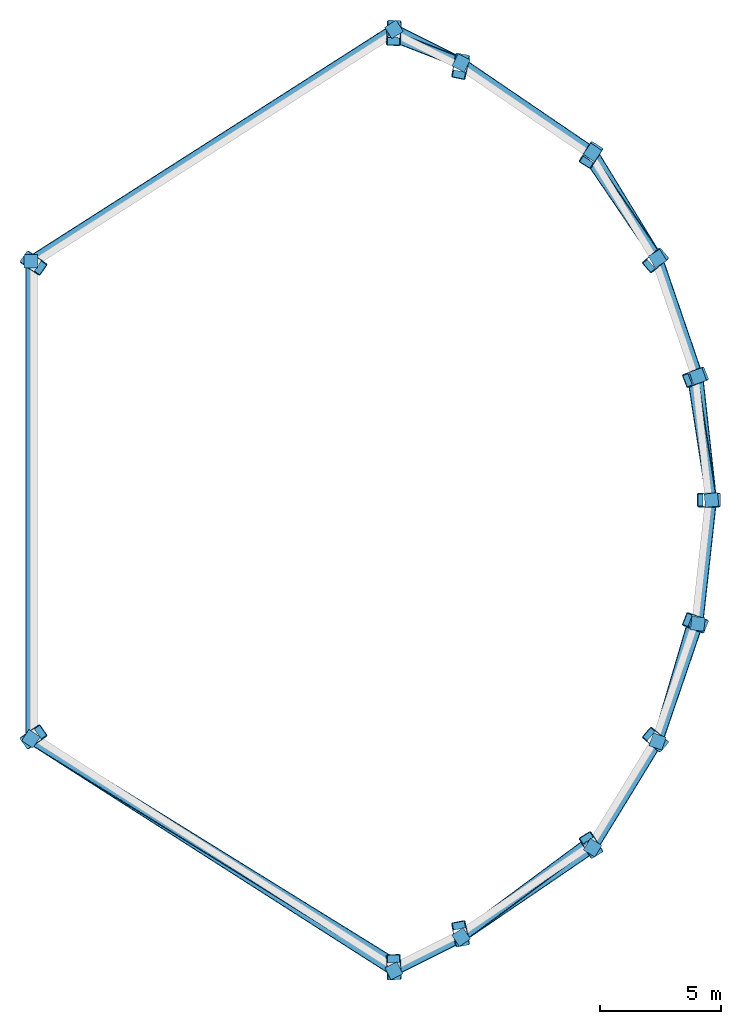
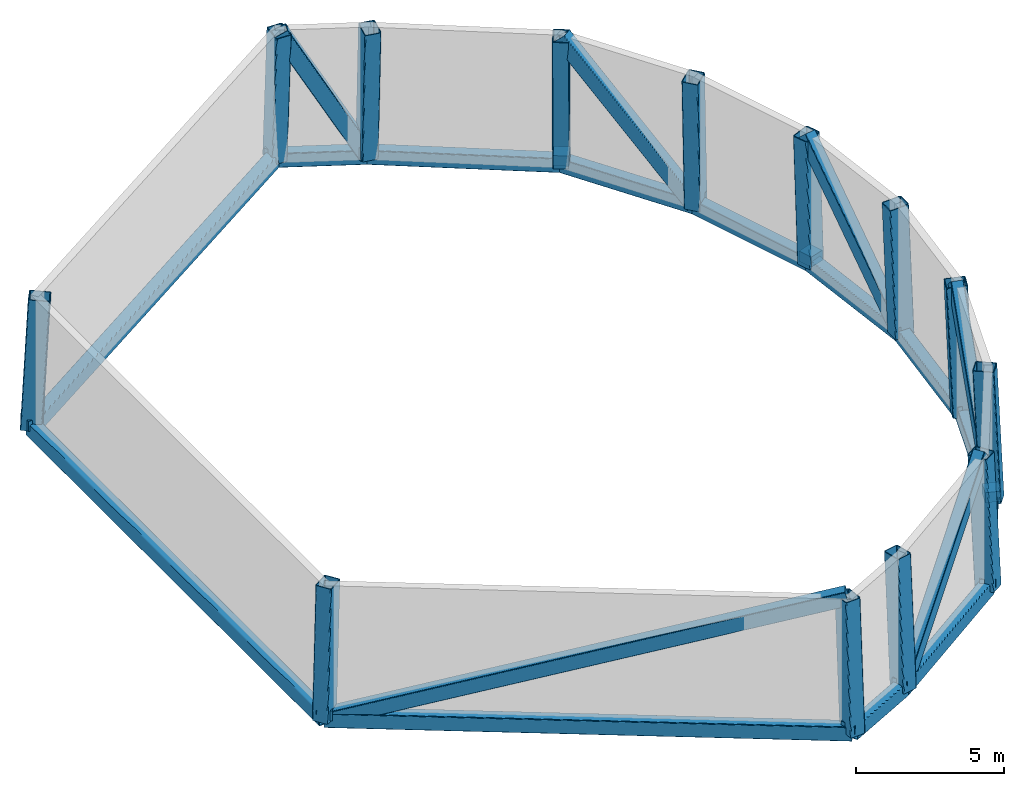
# One storey, part 1 of 2: 32 members, 13 discrete accessories.
"""IFC4 building model written with IfcOpenShell, lengths in metres."""

from ifc_helpers import new_model, si_unit, direction, frame, origin, origin_2d, place, context, subcontext, project, spatial, rectangle, hollow_rectangle, extrude, material, material_profile, profile_set, type_object, element, save


model = new_model("IFC4")

# Units and contexts
model_context = context("Model", 3, precision=1e-05, world=origin(), true_north=direction((0.0, 1.0)))
body_context = subcontext(model_context, "Body", "Model", "MODEL_VIEW")
ifc_project = project(units=[si_unit("LENGTHUNIT", "METRE"), si_unit("AREAUNIT", "SQUARE_METRE"), si_unit("VOLUMEUNIT", "CUBIC_METRE"), si_unit("PLANEANGLEUNIT", "RADIAN"), si_unit("MASSUNIT", "GRAM", prefix="KILO")], contexts=[model_context])

# Site, building, storey
site_placement = place(None, origin())
site = spatial("IfcSite", under=ifc_project, at=site_placement, CompositionType="ELEMENT")
building_placement = place(site_placement, origin())
building = spatial("IfcBuilding", under=site, at=building_placement, Name="Qorvath Tower", CompositionType="ELEMENT")
storey_placement = place(building_placement, frame((0.0, 0.0, 339.60009765625)))
storey = spatial("IfcBuildingStorey", under=building, at=storey_placement, Name="L79", CompositionType="ELEMENT", Elevation=339.60009765625)

# Members
ifc_material_1 = material(Name="Steel ASTM A572 Grade 50", Category="steel")
ifc_material_profile_1 = material_profile(ifc_material_1, hollow_rectangle(XDim=0.60009765625, YDim=0.75, WallThickness=0.031982421875, InnerFilletRadius=0.031982421875, OuterFilletRadius=0.06396484375, at=origin_2d()), Name="CROWN BOX 750x600x32")
ifc_profile_set_1 = profile_set([ifc_material_profile_1], Name="Steel ASTM A572 Grade 50")
member_type_1 = type_object("IfcMemberType", Name="MEM-CF1", PredefinedType="USERDEFINED", material=ifc_profile_set_1)
for number, where, z_axis, x_axis, name in (
    (1, (-34.27734375, 9.899169921875, 0.0), (0.041496873129, -0.028763338611, 0.99872452652), (0.569674928539, 0.821870108834, 0.0), "CROWN FRAME Post L79-01"),
    (2, (-34.27734375, -9.899169921875, 0.0), (0.041496873129, 0.028763338611, 0.99872452652), (-0.569674928539, 0.821870108834, 0.0), "CROWN FRAME Post L79-02"),
):
    element("IfcMember", number, at=place(storey_placement, frame(where, z_axis=z_axis, x_axis=x_axis)), inside=storey, type_object=member_type_1, Name=name, ObjectType="CROWN FRAME", PredefinedType="USERDEFINED", context=body_context, shape_type="SweptSolid", body=[
        extrude(hollow_rectangle(XDim=0.60009765625, YDim=0.75, WallThickness=0.031982421875, InnerFilletRadius=0.031982421875, OuterFilletRadius=0.06396484375, at=origin_2d()), origin(), (0.0, 0.0, 1.0), 5.40673828125),
    ])
member_1_placement = place(storey_placement, frame((-19.22314453125, -19.5205078125, 0.0), z_axis=(-0.0022569604, 0.056694845255, 0.998389002669), x_axis=(-0.999208565601, -0.039777411051, 0.0)))
element("IfcMember", 3, at=member_1_placement, inside=storey, type_object=member_type_1, Name="CROWN FRAME Post L79-03", ObjectType="CROWN FRAME", PredefinedType="USERDEFINED", context=body_context, shape_type="SweptSolid", body=[
    extrude(hollow_rectangle(XDim=0.60009765625, YDim=0.75, WallThickness=0.031982421875, InnerFilletRadius=0.031982421875, OuterFilletRadius=0.06396484375, at=origin_2d()), origin(), (0.0, 0.0, 1.0), 5.40869140625),
])
member_2_placement = place(storey_placement, frame((-16.4345703125, -18.1259765625, 0.0), z_axis=(-0.010383790777, 0.052641304549, 0.998559497448), x_axis=(-0.98109505447, -0.19352646872, 0.0)))
element("IfcMember", 4, at=member_2_placement, inside=storey, type_object=member_type_1, Name="CROWN FRAME Post L79-04", ObjectType="CROWN FRAME", PredefinedType="USERDEFINED", context=body_context, shape_type="SweptSolid", body=[
    extrude(hollow_rectangle(XDim=0.60009765625, YDim=0.75, WallThickness=0.031982421875, InnerFilletRadius=0.031982421875, OuterFilletRadius=0.06396484375, at=origin_2d()), origin(), (0.0, 0.0, 1.0), 5.40771484375),
])
member_3_placement = place(storey_placement, frame((-10.984619140625, -14.41650390625, 0.0), z_axis=(-0.026190947468, 0.041905515949, 0.998778234647), x_axis=(-0.847998304005, -0.529998940003, 0.0)))
element("IfcMember", 5, at=member_3_placement, inside=storey, type_object=member_type_1, Name="CROWN FRAME Post L79-05", ObjectType="CROWN FRAME", PredefinedType="USERDEFINED", context=body_context, shape_type="SweptSolid", body=[
    extrude(hollow_rectangle(XDim=0.60009765625, YDim=0.75, WallThickness=0.031982421875, InnerFilletRadius=0.031982421875, OuterFilletRadius=0.06396484375, at=origin_2d()), origin(), (0.0, 0.0, 1.0), 5.406494140625),
])
member_4_placement = place(storey_placement, frame((-8.290771484375, -10.013671875, 0.0), z_axis=(-0.03401056018, 0.029087384802, 0.99899810102), x_axis=(-0.649959832838, -0.759968562309, 0.0)))
element("IfcMember", 6, at=member_4_placement, inside=storey, type_object=member_type_1, Name="CROWN FRAME Post L79-06", ObjectType="CROWN FRAME", PredefinedType="USERDEFINED", context=body_context, shape_type="SweptSolid", body=[
    extrude(hollow_rectangle(XDim=0.60009765625, YDim=0.75, WallThickness=0.031982421875, InnerFilletRadius=0.031982421875, OuterFilletRadius=0.06396484375, at=origin_2d()), origin(), (0.0, 0.0, 1.0), 5.4052734375),
])
member_5_placement = place(storey_placement, frame((-6.620849609375, -5.130126953125, 0.0), z_axis=(-0.038893787027, 0.014907026387, 0.999132150366), x_axis=(-0.357888732889, -0.933764239447, 0.0)))
element("IfcMember", 7, at=member_5_placement, inside=storey, type_object=member_type_1, Name="CROWN FRAME Post L79-07", ObjectType="CROWN FRAME", PredefinedType="USERDEFINED", context=body_context, shape_type="SweptSolid", body=[
    extrude(hollow_rectangle(XDim=0.60009765625, YDim=0.75, WallThickness=0.031982421875, InnerFilletRadius=0.031982421875, OuterFilletRadius=0.06396484375, at=origin_2d()), origin(), (0.0, 0.0, 1.0), 5.404541015625),
])
member_6_placement = place(storey_placement, frame((-6.05517578125, 0.0, 0.0), z_axis=(-0.040566994527, 0.0, 0.999176820665), x_axis=(0.0, -1.0, 0.0)))
element("IfcMember", 8, at=member_6_placement, inside=storey, type_object=member_type_1, Name="CROWN FRAME Post L79-08", ObjectType="CROWN FRAME", PredefinedType="USERDEFINED", context=body_context, shape_type="SweptSolid", body=[
    extrude(hollow_rectangle(XDim=0.60009765625, YDim=0.75, WallThickness=0.031982421875, InnerFilletRadius=0.031982421875, OuterFilletRadius=0.06396484375, at=origin_2d()), origin(), (0.0, 0.0, 1.0), 5.404296875),
])
member_7_placement = place(storey_placement, frame((-6.620849609375, 5.130126953125, 0.0), z_axis=(-0.038893787027, -0.014907026387, 0.999132150366), x_axis=(0.357888732889, -0.933764239447, 0.0)))
element("IfcMember", 9, at=member_7_placement, inside=storey, type_object=member_type_1, Name="CROWN FRAME Post L79-09", ObjectType="CROWN FRAME", PredefinedType="USERDEFINED", context=body_context, shape_type="SweptSolid", body=[
    extrude(hollow_rectangle(XDim=0.60009765625, YDim=0.75, WallThickness=0.031982421875, InnerFilletRadius=0.031982421875, OuterFilletRadius=0.06396484375, at=origin_2d()), origin(), (0.0, 0.0, 1.0), 5.404541015625),
])
member_8_placement = place(storey_placement, frame((-8.290771484375, 10.013671875, 0.0), z_axis=(-0.03401056018, -0.029087384802, 0.99899810102), x_axis=(0.649959832838, -0.759968562309, 0.0)))
element("IfcMember", 10, at=member_8_placement, inside=storey, type_object=member_type_1, Name="CROWN FRAME Post L79-10", ObjectType="CROWN FRAME", PredefinedType="USERDEFINED", context=body_context, shape_type="SweptSolid", body=[
    extrude(hollow_rectangle(XDim=0.60009765625, YDim=0.75, WallThickness=0.031982421875, InnerFilletRadius=0.031982421875, OuterFilletRadius=0.06396484375, at=origin_2d()), origin(), (0.0, 0.0, 1.0), 5.4052734375),
])
member_9_placement = place(storey_placement, frame((-10.984619140625, 14.41650390625, 0.0), z_axis=(-0.026190947468, -0.041905515949, 0.998778234647), x_axis=(0.847998304005, -0.529998940003, 0.0)))
element("IfcMember", 11, at=member_9_placement, inside=storey, type_object=member_type_1, Name="CROWN FRAME Post L79-11", ObjectType="CROWN FRAME", PredefinedType="USERDEFINED", context=body_context, shape_type="SweptSolid", body=[
    extrude(hollow_rectangle(XDim=0.60009765625, YDim=0.75, WallThickness=0.031982421875, InnerFilletRadius=0.031982421875, OuterFilletRadius=0.06396484375, at=origin_2d()), origin(), (0.0, 0.0, 1.0), 5.406494140625),
])
member_10_placement = place(storey_placement, frame((-16.4345703125, 18.1259765625, 0.0), z_axis=(-0.010383790777, -0.052641304549, 0.998559497448), x_axis=(0.98109505447, -0.19352646872, 0.0)))
element("IfcMember", 12, at=member_10_placement, inside=storey, type_object=member_type_1, Name="CROWN FRAME Post L79-12", ObjectType="CROWN FRAME", PredefinedType="USERDEFINED", context=body_context, shape_type="SweptSolid", body=[
    extrude(hollow_rectangle(XDim=0.60009765625, YDim=0.75, WallThickness=0.031982421875, InnerFilletRadius=0.031982421875, OuterFilletRadius=0.06396484375, at=origin_2d()), origin(), (0.0, 0.0, 1.0), 5.40771484375),
])
member_11_placement = place(storey_placement, frame((-19.22314453125, 19.5205078125, 0.0), z_axis=(-0.0022569604, -0.056694845255, 0.998389002669), x_axis=(0.999208565601, -0.039777411051, 0.0)))
element("IfcMember", 13, at=member_11_placement, inside=storey, type_object=member_type_1, Name="CROWN FRAME Post L79-13", ObjectType="CROWN FRAME", PredefinedType="USERDEFINED", context=body_context, shape_type="SweptSolid", body=[
    extrude(hollow_rectangle(XDim=0.60009765625, YDim=0.75, WallThickness=0.031982421875, InnerFilletRadius=0.031982421875, OuterFilletRadius=0.06396484375, at=origin_2d()), origin(), (0.0, 0.0, 1.0), 5.40869140625),
])
ifc_material_2 = material(Name="Steel ASTM A572 Grade 50", Category="steel")
ifc_material_profile_2 = material_profile(ifc_material_2, hollow_rectangle(XDim=0.449951171875, YDim=0.60009765625, WallThickness=0.02490234375, InnerFilletRadius=0.02490234375, OuterFilletRadius=0.050048828125, at=origin_2d()), Name="CROWN BOX 600x450x25")
ifc_profile_set_2 = profile_set([ifc_material_profile_2], Name="Steel ASTM A572 Grade 50")
member_type_2 = type_object("IfcMemberType", Name="MEM-CF2", PredefinedType="USERDEFINED", material=ifc_profile_set_2)
member_12_placement = place(storey_placement, frame((-34.27734375, 9.899169921875, 0.0), z_axis=(0.0, -1.0, 0.0), x_axis=(1.0, 0.0, 0.0)))
element("IfcMember", 14, at=member_12_placement, inside=storey, type_object=member_type_2, Name="CROWN FRAME Ring Beam L79-01", ObjectType="CROWN FRAME", PredefinedType="USERDEFINED", context=body_context, shape_type="SweptSolid", body=[
    extrude(hollow_rectangle(XDim=0.449951171875, YDim=0.60009765625, WallThickness=0.02490234375, InnerFilletRadius=0.02490234375, OuterFilletRadius=0.050048828125, at=origin_2d()), origin(), (0.0, 0.0, 1.0), 19.79833984375),
])
member_13_placement = place(storey_placement, frame((-34.27734375, -9.899169921875, 0.0), z_axis=(0.84261048541, -0.538523509122, 0.0), x_axis=(0.538523509122, 0.84261048541, 0.0)))
element("IfcMember", 15, at=member_13_placement, inside=storey, type_object=member_type_2, Name="CROWN FRAME Ring Beam L79-02", ObjectType="CROWN FRAME", PredefinedType="USERDEFINED", context=body_context, shape_type="SweptSolid", body=[
    extrude(hollow_rectangle(XDim=0.449951171875, YDim=0.60009765625, WallThickness=0.02490234375, InnerFilletRadius=0.02490234375, OuterFilletRadius=0.050048828125, at=origin_2d()), origin(), (0.0, 0.0, 1.0), 17.8662109375),
])
member_14_placement = place(storey_placement, frame((-19.22314453125, -19.5205078125, 0.0), z_axis=(0.894395866941, 0.447276238134, 0.0), x_axis=(-0.447276238134, 0.894395866941, 0.0)))
element("IfcMember", 16, at=member_14_placement, inside=storey, type_object=member_type_2, Name="CROWN FRAME Ring Beam L79-03", ObjectType="CROWN FRAME", PredefinedType="USERDEFINED", context=body_context, shape_type="SweptSolid", body=[
    extrude(hollow_rectangle(XDim=0.449951171875, YDim=0.60009765625, WallThickness=0.02490234375, InnerFilletRadius=0.02490234375, OuterFilletRadius=0.050048828125, at=origin_2d()), origin(), (0.0, 0.0, 1.0), 3.117919921875),
])
member_15_placement = place(storey_placement, frame((-16.4345703125, -18.1259765625, 0.0), z_axis=(0.826679146324, 0.562673607905, 0.0), x_axis=(-0.562673607905, 0.826679146324, 0.0)))
element("IfcMember", 17, at=member_15_placement, inside=storey, type_object=member_type_2, Name="CROWN FRAME Ring Beam L79-04", ObjectType="CROWN FRAME", PredefinedType="USERDEFINED", context=body_context, shape_type="SweptSolid", body=[
    extrude(hollow_rectangle(XDim=0.449951171875, YDim=0.60009765625, WallThickness=0.02490234375, InnerFilletRadius=0.02490234375, OuterFilletRadius=0.050048828125, at=origin_2d()), origin(), (0.0, 0.0, 1.0), 6.592529296875),
])
member_16_placement = place(storey_placement, frame((-10.984619140625, -14.41650390625, 0.0), z_axis=(0.521905288169, 0.853003440896, 0.0), x_axis=(-0.853003440896, 0.521905288169, 0.0)))
element("IfcMember", 18, at=member_16_placement, inside=storey, type_object=member_type_2, Name="CROWN FRAME Ring Beam L79-05", ObjectType="CROWN FRAME", PredefinedType="USERDEFINED", context=body_context, shape_type="SweptSolid", body=[
    extrude(hollow_rectangle(XDim=0.449951171875, YDim=0.60009765625, WallThickness=0.02490234375, InnerFilletRadius=0.02490234375, OuterFilletRadius=0.050048828125, at=origin_2d()), origin(), (0.0, 0.0, 1.0), 5.16162109375),
])
for number, where, z_axis, x_axis, name in (
    (19, (-8.290771484375, -10.013671875, 0.0), (0.323555062216, 0.946209343494, 0.0), (-0.946209343494, 0.323555062216, 0.0), "CROWN FRAME Ring Beam L79-06"),
    (20, (-6.620849609375, -5.130126953125, 0.0), (0.109600802557, 0.993975685859, 0.0), (-0.993975685859, 0.109600802557, 0.0), "CROWN FRAME Ring Beam L79-07"),
    (21, (-6.05517578125, 0.0, 0.0), (-0.109600802557, 0.993975685859, 0.0), (-0.993975685859, -0.109600802557, 0.0), "CROWN FRAME Ring Beam L79-08"),
    (22, (-6.620849609375, 5.130126953125, 0.0), (-0.323555062216, 0.946209343494, 0.0), (-0.946209343494, -0.323555062216, 0.0), "CROWN FRAME Ring Beam L79-09"),
):
    element("IfcMember", number, at=place(storey_placement, frame(where, z_axis=z_axis, x_axis=x_axis)), inside=storey, type_object=member_type_2, Name=name, ObjectType="CROWN FRAME", PredefinedType="USERDEFINED", context=body_context, shape_type="SweptSolid", body=[
        extrude(hollow_rectangle(XDim=0.449951171875, YDim=0.60009765625, WallThickness=0.02490234375, InnerFilletRadius=0.02490234375, OuterFilletRadius=0.050048828125, at=origin_2d()), origin(), (0.0, 0.0, 1.0), 5.1611328125),
    ])
member_17_placement = place(storey_placement, frame((-8.290771484375, 10.013671875, 0.0), z_axis=(-0.521905288169, 0.853003440896, 0.0), x_axis=(-0.853003440896, -0.521905288169, 0.0)))
element("IfcMember", 23, at=member_17_placement, inside=storey, type_object=member_type_2, Name="CROWN FRAME Ring Beam L79-10", ObjectType="CROWN FRAME", PredefinedType="USERDEFINED", context=body_context, shape_type="SweptSolid", body=[
    extrude(hollow_rectangle(XDim=0.449951171875, YDim=0.60009765625, WallThickness=0.02490234375, InnerFilletRadius=0.02490234375, OuterFilletRadius=0.050048828125, at=origin_2d()), origin(), (0.0, 0.0, 1.0), 5.16162109375),
])
member_18_placement = place(storey_placement, frame((-10.984619140625, 14.41650390625, 0.0), z_axis=(-0.826679146324, 0.562673607905, 0.0), x_axis=(-0.562673607905, -0.826679146324, 0.0)))
element("IfcMember", 24, at=member_18_placement, inside=storey, type_object=member_type_2, Name="CROWN FRAME Ring Beam L79-11", ObjectType="CROWN FRAME", PredefinedType="USERDEFINED", context=body_context, shape_type="SweptSolid", body=[
    extrude(hollow_rectangle(XDim=0.449951171875, YDim=0.60009765625, WallThickness=0.02490234375, InnerFilletRadius=0.02490234375, OuterFilletRadius=0.050048828125, at=origin_2d()), origin(), (0.0, 0.0, 1.0), 6.592529296875),
])
member_19_placement = place(storey_placement, frame((-16.4345703125, 18.1259765625, 0.0), z_axis=(-0.894395866941, 0.447276238134, 0.0), x_axis=(-0.447276238134, -0.894395866941, 0.0)))
element("IfcMember", 25, at=member_19_placement, inside=storey, type_object=member_type_2, Name="CROWN FRAME Ring Beam L79-12", ObjectType="CROWN FRAME", PredefinedType="USERDEFINED", context=body_context, shape_type="SweptSolid", body=[
    extrude(hollow_rectangle(XDim=0.449951171875, YDim=0.60009765625, WallThickness=0.02490234375, InnerFilletRadius=0.02490234375, OuterFilletRadius=0.050048828125, at=origin_2d()), origin(), (0.0, 0.0, 1.0), 3.117919921875),
])
member_20_placement = place(storey_placement, frame((-19.22314453125, 19.5205078125, 0.0), z_axis=(-0.84261048541, -0.538523509122, 0.0), x_axis=(0.538523509122, -0.84261048541, 0.0)))
element("IfcMember", 26, at=member_20_placement, inside=storey, type_object=member_type_2, Name="CROWN FRAME Ring Beam L79-13", ObjectType="CROWN FRAME", PredefinedType="USERDEFINED", context=body_context, shape_type="SweptSolid", body=[
    extrude(hollow_rectangle(XDim=0.449951171875, YDim=0.60009765625, WallThickness=0.02490234375, InnerFilletRadius=0.02490234375, OuterFilletRadius=0.050048828125, at=origin_2d()), origin(), (0.0, 0.0, 1.0), 17.8662109375),
])
member_21_placement = place(storey_placement, frame((-34.27734375, -9.899169921875, 0.0), z_axis=(0.81315899734, -0.50354566035, 0.291914735817), x_axis=(0.526476697208, 0.850189559626, 0.0)))
element("IfcMember", 27, at=member_21_placement, inside=storey, type_object=member_type_2, Name="CROWN FRAME Diagonal Brace L79-02", ObjectType="CROWN FRAME", PredefinedType="USERDEFINED", context=body_context, shape_type="SweptSolid", body=[
    extrude(hollow_rectangle(XDim=0.449951171875, YDim=0.60009765625, WallThickness=0.02490234375, InnerFilletRadius=0.02490234375, OuterFilletRadius=0.050048828125, at=origin_2d()), origin(), (0.0, 0.0, 1.0), 18.498291015625),
])
member_22_placement = place(storey_placement, frame((-16.4345703125, -18.1259765625, 0.0), z_axis=(0.6220204742, 0.461215751509, 0.632748417806), x_axis=(-0.595610928046, 0.803273068385, 0.0)))
element("IfcMember", 28, at=member_22_placement, inside=storey, type_object=member_type_2, Name="CROWN FRAME Diagonal Brace L79-04", ObjectType="CROWN FRAME", PredefinedType="USERDEFINED", context=body_context, shape_type="SweptSolid", body=[
    extrude(hollow_rectangle(XDim=0.449951171875, YDim=0.60009765625, WallThickness=0.02490234375, InnerFilletRadius=0.02490234375, OuterFilletRadius=0.050048828125, at=origin_2d()), origin(), (0.0, 0.0, 1.0), 8.533935546875),
])
member_23_placement = place(storey_placement, frame((-8.290771484375, -10.013671875, 0.0), z_axis=(0.195181192075, 0.663759688655, 0.722030039525), x_axis=(-0.959382029175, 0.282110124056, 0.0)))
element("IfcMember", 29, at=member_23_placement, inside=storey, type_object=member_type_2, Name="CROWN FRAME Diagonal Brace L79-06", ObjectType="CROWN FRAME", PredefinedType="USERDEFINED", context=body_context, shape_type="SweptSolid", body=[
    extrude(hollow_rectangle(XDim=0.449951171875, YDim=0.60009765625, WallThickness=0.02490234375, InnerFilletRadius=0.02490234375, OuterFilletRadius=0.050048828125, at=origin_2d()), origin(), (0.0, 0.0, 1.0), 7.478759765625),
])
member_24_placement = place(storey_placement, frame((-6.05517578125, 0.0, 0.0), z_axis=(-0.104374030241, 0.679285106191, 0.726414348921), x_axis=(-0.988400408092, -0.151870449012, 0.0)))
element("IfcMember", 30, at=member_24_placement, inside=storey, type_object=member_type_2, Name="CROWN FRAME Diagonal Brace L79-08", ObjectType="CROWN FRAME", PredefinedType="USERDEFINED", context=body_context, shape_type="SweptSolid", body=[
    extrude(hollow_rectangle(XDim=0.449951171875, YDim=0.60009765625, WallThickness=0.02490234375, InnerFilletRadius=0.02490234375, OuterFilletRadius=0.050048828125, at=origin_2d()), origin(), (0.0, 0.0, 1.0), 7.43359375),
])
member_25_placement = place(storey_placement, frame((-8.290771484375, 10.013671875, 0.0), z_axis=(-0.383589532755, 0.564980415646, 0.730517761794), x_axis=(-0.827332891133, -0.561711925501, 0.0)))
element("IfcMember", 31, at=member_25_placement, inside=storey, type_object=member_type_2, Name="CROWN FRAME Diagonal Brace L79-10", ObjectType="CROWN FRAME", PredefinedType="USERDEFINED", context=body_context, shape_type="SweptSolid", body=[
    extrude(hollow_rectangle(XDim=0.449951171875, YDim=0.60009765625, WallThickness=0.02490234375, InnerFilletRadius=0.02490234375, OuterFilletRadius=0.050048828125, at=origin_2d()), origin(), (0.0, 0.0, 1.0), 7.391845703125),
])
member_26_placement = place(storey_placement, frame((-16.4345703125, 18.1259765625, 0.0), z_axis=(-0.45323391879, 0.176046926615, 0.873834363302), x_axis=(-0.362069803497, -0.932150984227, 0.0)))
element("IfcMember", 32, at=member_26_placement, inside=storey, type_object=member_type_2, Name="CROWN FRAME Diagonal Brace L79-12", ObjectType="CROWN FRAME", PredefinedType="USERDEFINED", context=body_context, shape_type="SweptSolid", body=[
    extrude(hollow_rectangle(XDim=0.449951171875, YDim=0.60009765625, WallThickness=0.02490234375, InnerFilletRadius=0.02490234375, OuterFilletRadius=0.050048828125, at=origin_2d()), origin(), (0.0, 0.0, 1.0), 6.179443359375),
])

# Discrete accessories
ifc_material_3 = material(Name="Galvanised steel bracket", Category="steel")
discrete_accessory_type = type_object("IfcDiscreteAccessoryType", Name="DA-BRACKET", PredefinedType="BRACKET", material=ifc_material_3)
for number, where, z_axis, x_axis, name in (
    (33, (-34.27734375, 9.899169921875, 0.0400390625), (0.0, 0.0, 1.0), (0.0, -1.0, 0.0), "Crown Screen Mounting Bracket L79-01"),
    (34, (-34.27734375, -9.899169921875, 0.0400390625), (0.0, 0.0, 1.0), (0.842605637097, -0.538531095047, 0.0), "Crown Screen Mounting Bracket L79-02"),
    (35, (-19.22314453125, -19.5205078125, 0.0400390625), (0.0, 0.0, 1.0), (0.894387779699, 0.447292409421, 0.0), "Crown Screen Mounting Bracket L79-03"),
    (36, (-16.4345703125, -18.1259765625, 0.0400390625), (0.0, 0.0, 1.0), (0.82667814412, 0.562675080338, 0.0), "Crown Screen Mounting Bracket L79-04"),
    (37, (-10.984619140625, -14.41650390625, 0.0400390625), (0.0, 0.0, 1.0), (0.521906159851, 0.853002907562, 0.0), "Crown Screen Mounting Bracket L79-05"),
    (38, (-8.290771484375, -10.013671875, 0.0400390625), (0.0, 0.0, 1.0), (0.323529351807, 0.946218134744, 0.0), "Crown Screen Mounting Bracket L79-06"),
    (39, (-6.620849609375, -5.130126953125, 0.0400390625), (0.0, 0.0, 1.0), (0.109616344658, 0.993973971985, 0.0), "Crown Screen Mounting Bracket L79-07"),
    (40, (-6.05517578125, 0.0, 0.0400390625), (0.0, 0.0, 1.0), (-0.109616344658, 0.993973971985, 0.0), "Crown Screen Mounting Bracket L79-08"),
    (41, (-6.620849609375, 5.130126953125, 0.0400390625), (0.0, 0.0, 1.0), (-0.323529351807, 0.946218134744, 0.0), "Crown Screen Mounting Bracket L79-09"),
    (42, (-8.290771484375, 10.013671875, 0.0400390625), (0.0, 0.0, 1.0), (-0.521906159851, 0.853002907562, 0.0), "Crown Screen Mounting Bracket L79-10"),
    (43, (-10.984619140625, 14.41650390625, 0.0400390625), (0.0, 0.0, 1.0), (-0.82667814412, 0.562675080338, 0.0), "Crown Screen Mounting Bracket L79-11"),
    (44, (-16.4345703125, 18.1259765625, 0.0400390625), (0.0, 0.0, 1.0), (-0.894387779699, 0.447292409421, 0.0), "Crown Screen Mounting Bracket L79-12"),
    (45, (-19.22314453125, 19.5205078125, 0.0400390625), (0.0, 0.0, 1.0), (-0.842605637097, -0.538531095047, 0.0), "Crown Screen Mounting Bracket L79-13"),
):
    element("IfcDiscreteAccessory", number, at=place(storey_placement, frame(where, z_axis=z_axis, x_axis=x_axis)), inside=storey, type_object=discrete_accessory_type, Name=name, PredefinedType="NOTDEFINED", context=body_context, shape_type="SweptSolid", body=[
        extrude(rectangle(XDim=0.56005859375, YDim=0.56005859375, at=origin_2d()), origin(), (0.0, 0.0, 1.0), 0.419921875),
    ])

save(model, "model.ifc")
